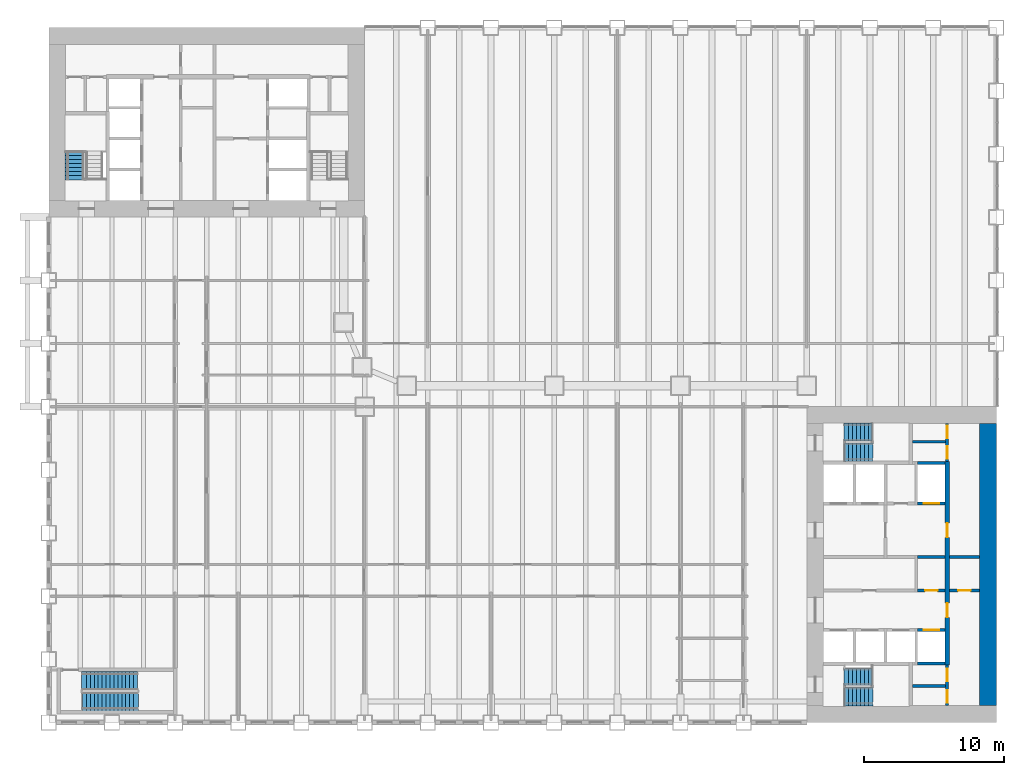
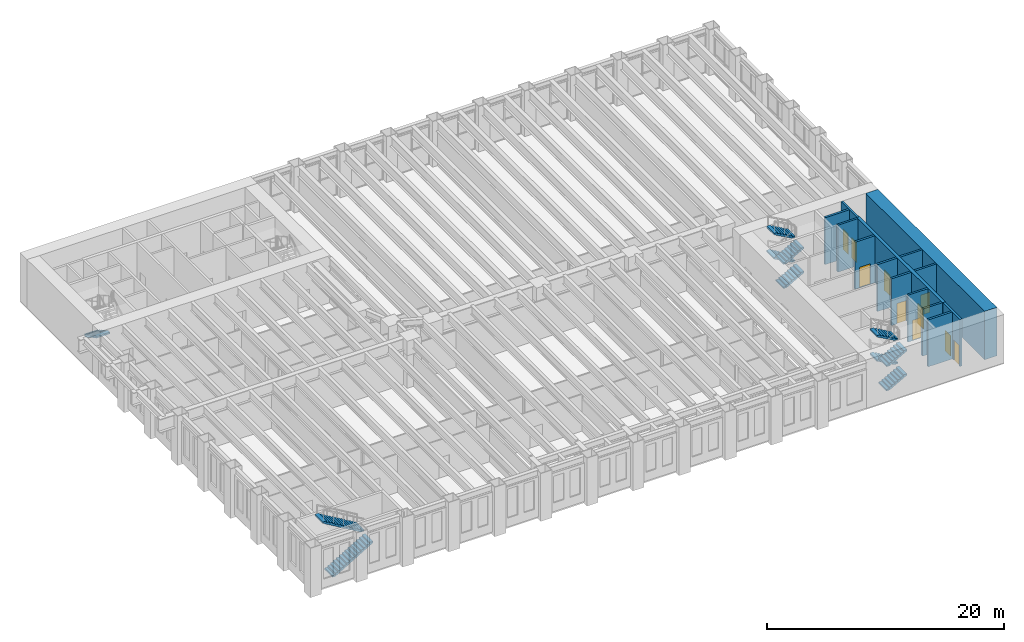
# One storey, part 17 of 21: 14 walls, 11 stair flights, 10 doors, 10 openings, 4 elements without a shape of their own.
"""IFC4 building model written with IfcOpenShell, lengths in metres."""

from ifc_helpers import new_model, si_unit, direction, frame, frame_2d, origin, place, context, subcontext, project, spatial, polyline, rectangle, outline, extrude, material, layer, layer_set, type_object, element, fill, aggregate, save


model = new_model("IFC4")

# Units and contexts
model_context = context("Model", 3, precision=1e-05, world=origin(), true_north=direction((0.0, 1.0)))
body_context = subcontext(model_context, "Body", "Model", "MODEL_VIEW")
ifc_project = project(units=[si_unit("LENGTHUNIT", "METRE"), si_unit("AREAUNIT", "SQUARE_METRE"), si_unit("VOLUMEUNIT", "CUBIC_METRE"), si_unit("PLANEANGLEUNIT", "RADIAN"), si_unit("MASSUNIT", "GRAM", prefix="KILO")], contexts=[model_context])

# Site, building, storey
site_placement = place(None, origin())
site = spatial("IfcSite", under=ifc_project, at=site_placement, CompositionType="ELEMENT")
building_placement = place(site_placement, origin())
building = spatial("IfcBuilding", under=site, at=building_placement, Name="Sennacour Bend Tower", CompositionType="ELEMENT")
storey_placement = place(building_placement, frame((0.0, 0.0, 24.0)))
storey = spatial("IfcBuildingStorey", under=building, at=storey_placement, Name="L04", CompositionType="ELEMENT", Elevation=24.0)

# Wall
ifc_material_1 = material(Name="Concrete C80/95", Category="concrete")
ifc_layer_1 = layer(ifc_material_1, 1.199951171875, Name="Concrete C80/95", Category="concrete")
ifc_layer_set_1 = layer_set([ifc_layer_1], Name="Concrete C80/95")
wall_type_1 = type_object("IfcWallType", Name="Core wall 1200 C80/95", PredefinedType="SHEAR", material=ifc_layer_set_1)
wall_1_placement = place(storey_placement, frame((66.89990234375, 1.199951171875, -0.14990234375), z_axis=(0.0, 0.0, 1.0), x_axis=(0.0, 1.0, 0.0)))
element("IfcWall", 1, at=wall_1_placement, inside=storey, type_object=wall_type_1, Name="Core A wall L04 E", PredefinedType="SHEAR", context=body_context, shape_type="SweptSolid", body=[
    extrude(rectangle(XDim=20.10009765625, YDim=1.199951171875, at=frame_2d((10.050048828125, 0.0))), origin(), (0.0, 0.0, 1.0), 5.0),
])

# Wall, openings, doors
ifc_material_2 = material(Name="Fire-rated plasterboard partition on steel studs", Category="steel")
ifc_layer_2 = layer(ifc_material_2, 0.199951171875, Name="Fire-rated plasterboard partition on steel studs", Category="steel")
ifc_layer_set_2 = layer_set([ifc_layer_2], Name="Fire-rated plasterboard partition on steel studs")
wall_type_2 = type_object("IfcWallType", Name="Rated partition 200", PredefinedType="PARTITIONING", material=ifc_layer_set_2)
wall_2_placement = place(storey_placement, frame((64.0, 1.199951171875, 0.0), z_axis=(0.0, 0.0, 1.0), x_axis=(0.0, 1.0, 0.0)))
wall_2 = element("IfcWall", 2, at=wall_2_placement, inside=storey, type_object=wall_type_2, Name="P-L04-W041", PredefinedType="PARTITIONING", context=body_context, shape_type="SweptSolid", body=[
    extrude(rectangle(XDim=2.900146484375, YDim=0.199951171875, at=frame_2d((1.4501953125, 0.0))), origin(), (0.0, 0.0, 1.0), 4.85009765625),
])
opening_1_placement = place(wall_2_placement, frame((0.199951171875, 0.0, 0.0)))
opening_1 = element("IfcOpeningElement", 3, at=opening_1_placement, cuts=wall_2, Name="Opening SV", PredefinedType="OPENING", context=body_context, shape_type="SweptSolid", body=[
    extrude(rectangle(XDim=0.89990234375, YDim=2.10009765625, at=frame_2d((0.449951171875, 1.050048828125))), frame((0.0, 0.10986328125, 0.0), z_axis=(0.0, -1.0, 0.0), x_axis=(1.0, 0.0, 0.0)), (0.0, 0.0, 1.0), 0.219970703125),
])
opening_2_placement = place(wall_2_placement, frame((1.75, 0.0, 0.0)))
opening_2 = element("IfcOpeningElement", 4, at=opening_2_placement, cuts=wall_2, Name="Opening WD", PredefinedType="OPENING", context=body_context, shape_type="SweptSolid", body=[
    extrude(rectangle(XDim=0.89990234375, YDim=2.10009765625, at=frame_2d((0.449951171875, 1.050048828125))), frame((0.0, 0.10986328125, 0.0), z_axis=(0.0, -1.0, 0.0), x_axis=(1.0, 0.0, 0.0)), (0.0, 0.0, 1.0), 0.219970703125),
])
ifc_material_3 = material(Name="Painted steel", Category="steel")
door_type_1 = type_object("IfcDoorType", Name="DR-SERVICE-900", OperationType="NOTDEFINED", PredefinedType="DOOR", material=ifc_material_3)
door_1_placement = place(opening_1_placement, origin())
door_1 = element("IfcDoor", 5, at=door_1_placement, inside=storey, type_object=door_type_1, Name="Door", OperationType="SINGLE_SWING_LEFT", OverallHeight=2.10009765625, OverallWidth=0.89990234375, PredefinedType="DOOR", context=body_context, shape_type="SweptSolid", body=[
    extrude(rectangle(XDim=0.89990234375, YDim=2.10009765625, at=frame_2d((0.449951171875, 1.050048828125))), frame((0.0, 0.02490234375, 0.0), z_axis=(0.0, -1.0, 0.0), x_axis=(1.0, 0.0, 0.0)), (0.0, 0.0, 1.0), 0.050048828125),
])
fill(opening_1, door_1)
ifc_material_4 = material(Name="Timber", Category="wood")
door_type_2 = type_object("IfcDoorType", Name="DR-WC-900", OperationType="NOTDEFINED", PredefinedType="DOOR", material=ifc_material_4)
door_2_placement = place(opening_2_placement, origin())
door_2 = element("IfcDoor", 6, at=door_2_placement, inside=storey, type_object=door_type_2, Name="Door", OperationType="SINGLE_SWING_RIGHT", OverallHeight=2.10009765625, OverallWidth=0.89990234375, PredefinedType="DOOR", context=body_context, shape_type="SweptSolid", body=[
    extrude(rectangle(XDim=0.89990234375, YDim=2.10009765625, at=frame_2d((0.449951171875, 1.050048828125))), frame((0.0, 0.02490234375, 0.0), z_axis=(0.0, -1.0, 0.0), x_axis=(1.0, 0.0, 0.0)), (0.0, 0.0, 1.0), 0.050048828125),
])
fill(opening_2, door_2)

wall_3_placement = place(storey_placement, frame((64.0, 18.60009765625, 0.0), z_axis=(0.0, 0.0, 1.0), x_axis=(0.0, 1.0, 0.0)))
wall_3 = element("IfcWall", 7, at=wall_3_placement, inside=storey, type_object=wall_type_2, Name="P-L04-W043", PredefinedType="PARTITIONING", context=body_context, shape_type="SweptSolid", body=[
    extrude(rectangle(XDim=2.699951171875, YDim=0.199951171875, at=frame_2d((1.35009765625, 0.0))), origin(), (0.0, 0.0, 1.0), 4.85009765625),
])
opening_3_placement = place(wall_3_placement, frame((0.199951171875, 0.0, 0.0)))
opening_3 = element("IfcOpeningElement", 8, at=opening_3_placement, cuts=wall_3, Name="Opening SV", PredefinedType="OPENING", context=body_context, shape_type="SweptSolid", body=[
    extrude(rectangle(XDim=0.89990234375, YDim=2.10009765625, at=frame_2d((0.449951171875, 1.050048828125))), frame((0.0, 0.10986328125, 0.0), z_axis=(0.0, -1.0, 0.0), x_axis=(1.0, 0.0, 0.0)), (0.0, 0.0, 1.0), 0.219970703125),
])
opening_4_placement = place(wall_3_placement, frame((1.64990234375, 0.0, 0.0)))
opening_4 = element("IfcOpeningElement", 9, at=opening_4_placement, cuts=wall_3, Name="Opening SV", PredefinedType="OPENING", context=body_context, shape_type="SweptSolid", body=[
    extrude(rectangle(XDim=0.89990234375, YDim=2.10009765625, at=frame_2d((0.449951171875, 1.050048828125))), frame((0.0, 0.10986328125, 0.0), z_axis=(0.0, -1.0, 0.0), x_axis=(1.0, 0.0, 0.0)), (0.0, 0.0, 1.0), 0.219970703125),
])
door_3_placement = place(opening_3_placement, origin())
door_3 = element("IfcDoor", 10, at=door_3_placement, inside=storey, type_object=door_type_1, Name="Door", OperationType="SINGLE_SWING_LEFT", OverallHeight=2.10009765625, OverallWidth=0.89990234375, PredefinedType="DOOR", context=body_context, shape_type="SweptSolid", body=[
    extrude(rectangle(XDim=0.89990234375, YDim=2.10009765625, at=frame_2d((0.449951171875, 1.050048828125))), frame((0.0, 0.02490234375, 0.0), z_axis=(0.0, -1.0, 0.0), x_axis=(1.0, 0.0, 0.0)), (0.0, 0.0, 1.0), 0.050048828125),
])
fill(opening_3, door_3)
door_4_placement = place(opening_4_placement, origin())
door_4 = element("IfcDoor", 11, at=door_4_placement, inside=storey, type_object=door_type_1, Name="Door", OperationType="SINGLE_SWING_RIGHT", OverallHeight=2.10009765625, OverallWidth=0.89990234375, PredefinedType="DOOR", context=body_context, shape_type="SweptSolid", body=[
    extrude(rectangle(XDim=0.89990234375, YDim=2.10009765625, at=frame_2d((0.449951171875, 1.050048828125))), frame((0.0, 0.02490234375, 0.0), z_axis=(0.0, -1.0, 0.0), x_axis=(1.0, 0.0, 0.0)), (0.0, 0.0, 1.0), 0.050048828125),
])
fill(opening_4, door_4)

# Wall
wall_4_placement = place(storey_placement, frame((61.52490234375, 2.60009765625, 0.0), z_axis=(0.0, 0.0, 1.0), x_axis=(1.0, 0.0, 0.0)))
element("IfcWall", 12, at=wall_4_placement, inside=storey, type_object=wall_type_2, Name="P-L04-W047", PredefinedType="PARTITIONING", context=body_context, shape_type="SweptSolid", body=[
    extrude(rectangle(XDim=2.375, YDim=0.199951171875, at=frame_2d((1.1875, 0.0))), origin(), (0.0, 0.0, 1.0), 4.85009765625),
])

# Wall, opening, door
wall_5_placement = place(storey_placement, frame((61.89990234375, 9.39990234375, 0.0), z_axis=(0.0, 0.0, 1.0), x_axis=(1.0, 0.0, 0.0)))
wall_5 = element("IfcWall", 13, at=wall_5_placement, inside=storey, type_object=wall_type_2, Name="P-L04-W056b", PredefinedType="PARTITIONING", context=body_context, shape_type="SweptSolid", body=[
    extrude(rectangle(XDim=1.9501953125, YDim=0.199951171875, at=frame_2d((0.97509765625, 0.0))), origin(), (0.0, 0.0, 1.0), 4.85009765625),
])
opening_5_placement = place(wall_5_placement, frame((0.525146484375, 0.0, 0.0)))
opening_5 = element("IfcOpeningElement", 14, at=opening_5_placement, cuts=wall_5, Name="Opening SV", PredefinedType="OPENING", context=body_context, shape_type="SweptSolid", body=[
    extrude(rectangle(XDim=0.89990234375, YDim=2.10009765625, at=frame_2d((0.449951171875, 1.050048828125))), frame((0.0, 0.10986328125, 0.0), z_axis=(0.0, -1.0, 0.0), x_axis=(1.0, 0.0, 0.0)), (0.0, 0.0, 1.0), 0.219970703125),
])
door_5_placement = place(opening_5_placement, origin())
door_5 = element("IfcDoor", 15, at=door_5_placement, inside=storey, type_object=door_type_1, Name="Door", OperationType="SINGLE_SWING_LEFT", OverallHeight=2.10009765625, OverallWidth=0.89990234375, PredefinedType="DOOR", context=body_context, shape_type="SweptSolid", body=[
    extrude(rectangle(XDim=0.89990234375, YDim=2.10009765625, at=frame_2d((0.449951171875, 1.050048828125))), frame((0.0, 0.02490234375, 0.0), z_axis=(0.0, -1.0, 0.0), x_axis=(1.0, 0.0, 0.0)), (0.0, 0.0, 1.0), 0.050048828125),
])
fill(opening_5, door_5)

wall_6_placement = place(storey_placement, frame((64.14990234375, 9.39990234375, 0.0), z_axis=(0.0, 0.0, 1.0), x_axis=(1.0, 0.0, 0.0)))
wall_6 = element("IfcWall", 16, at=wall_6_placement, inside=storey, type_object=wall_type_2, Name="P-L04-W056c", PredefinedType="PARTITIONING", context=body_context, shape_type="SweptSolid", body=[
    extrude(rectangle(XDim=2.150146484375, YDim=0.199951171875, at=frame_2d((1.0751953125, 0.0))), origin(), (0.0, 0.0, 1.0), 4.85009765625),
])
opening_6_placement = place(wall_6_placement, frame((0.625, 0.0, 0.0)))
opening_6 = element("IfcOpeningElement", 17, at=opening_6_placement, cuts=wall_6, Name="Opening SV", PredefinedType="OPENING", context=body_context, shape_type="SweptSolid", body=[
    extrude(rectangle(XDim=0.89990234375, YDim=2.10009765625, at=frame_2d((0.449951171875, 1.050048828125))), frame((0.0, 0.10986328125, 0.0), z_axis=(0.0, -1.0, 0.0), x_axis=(1.0, 0.0, 0.0)), (0.0, 0.0, 1.0), 0.219970703125),
])
door_6_placement = place(opening_6_placement, origin())
door_6 = element("IfcDoor", 18, at=door_6_placement, inside=storey, type_object=door_type_1, Name="Door", OperationType="SINGLE_SWING_LEFT", OverallHeight=2.10009765625, OverallWidth=0.89990234375, PredefinedType="DOOR", context=body_context, shape_type="SweptSolid", body=[
    extrude(rectangle(XDim=0.89990234375, YDim=2.10009765625, at=frame_2d((0.449951171875, 1.050048828125))), frame((0.0, 0.02490234375, 0.0), z_axis=(0.0, -1.0, 0.0), x_axis=(1.0, 0.0, 0.0)), (0.0, 0.0, 1.0), 0.050048828125),
])
fill(opening_6, door_6)

# Walls
wall_7_placement = place(storey_placement, frame((61.89990234375, 11.800048828125, 0.0), z_axis=(0.0, 0.0, 1.0), x_axis=(1.0, 0.0, 0.0)))
element("IfcWall", 19, at=wall_7_placement, inside=storey, type_object=wall_type_2, Name="P-L04-W058c", PredefinedType="PARTITIONING", context=body_context, shape_type="SweptSolid", body=[
    extrude(rectangle(XDim=1.9501953125, YDim=0.199951171875, at=frame_2d((0.97509765625, 0.0))), origin(), (0.0, 0.0, 1.0), 4.85009765625),
])
wall_8_placement = place(storey_placement, frame((64.14990234375, 11.800048828125, 0.0), z_axis=(0.0, 0.0, 1.0), x_axis=(1.0, 0.0, 0.0)))
element("IfcWall", 20, at=wall_8_placement, inside=storey, type_object=wall_type_2, Name="P-L04-W058d", PredefinedType="PARTITIONING", context=body_context, shape_type="SweptSolid", body=[
    extrude(rectangle(XDim=2.150146484375, YDim=0.199951171875, at=frame_2d((1.0751953125, 0.0))), origin(), (0.0, 0.0, 1.0), 4.85009765625),
])
wall_9_placement = place(storey_placement, frame((61.52490234375, 20.0, 0.0), z_axis=(0.0, 0.0, 1.0), x_axis=(1.0, 0.0, 0.0)))
element("IfcWall", 21, at=wall_9_placement, inside=storey, type_object=wall_type_2, Name="P-L04-W065", PredefinedType="PARTITIONING", context=body_context, shape_type="SweptSolid", body=[
    extrude(rectangle(XDim=2.375, YDim=0.199951171875, at=frame_2d((1.1875, 0.0))), origin(), (0.0, 0.0, 1.0), 4.85009765625),
])
ifc_material_5 = material(Name="Concrete C50/60", Category="concrete")
ifc_layer_3 = layer(ifc_material_5, 0.199951171875, Name="Concrete C50/60", Category="concrete")
ifc_layer_set_3 = layer_set([ifc_layer_3], Name="Concrete C50/60")
wall_type_3 = type_object("IfcWallType", Name="Shaft wall 200", PredefinedType="SOLIDWALL", material=ifc_layer_set_3)
wall_10_placement = place(storey_placement, frame((61.89990234375, 4.199951171875, 0.0), z_axis=(0.0, 0.0, 1.0), x_axis=(1.0, 0.0, 0.0)))
element("IfcWall", 22, at=wall_10_placement, inside=storey, type_object=wall_type_3, Name="P-L04-W052b", PredefinedType="SOLIDWALL", context=body_context, shape_type="SweptSolid", body=[
    extrude(rectangle(XDim=1.9501953125, YDim=0.199951171875, at=frame_2d((0.97509765625, 0.0))), origin(), (0.0, 0.0, 1.0), 4.85009765625),
])

# Wall, opening, door
wall_11_placement = place(storey_placement, frame((61.89990234375, 6.60009765625, 0.0), z_axis=(0.0, 0.0, 1.0), x_axis=(1.0, 0.0, 0.0)))
wall_11 = element("IfcWall", 23, at=wall_11_placement, inside=storey, type_object=wall_type_3, Name="P-L04-W054d", PredefinedType="SOLIDWALL", context=body_context, shape_type="SweptSolid", body=[
    extrude(rectangle(XDim=1.9501953125, YDim=0.199951171875, at=frame_2d((0.97509765625, 0.0))), origin(), (0.0, 0.0, 1.0), 4.85009765625),
])
opening_7_placement = place(wall_11_placement, frame((0.425048828125, 0.0, 0.011962890625)))
opening_7 = element("IfcOpeningElement", 24, at=opening_7_placement, cuts=wall_11, Name="Opening LD", PredefinedType="OPENING", context=body_context, shape_type="SweptSolid", body=[
    extrude(rectangle(XDim=1.10009765625, YDim=2.10009765625, at=frame_2d((0.550048828125, 1.050048828125))), frame((0.0, 0.10986328125, 0.0), z_axis=(0.0, -1.0, 0.0), x_axis=(1.0, 0.0, 0.0)), (0.0, 0.0, 1.0), 0.219970703125),
])
ifc_material_6 = material(Name="Stainless steel", Category="steel")
door_type_3 = type_object("IfcDoorType", Name="DR-LANDING-1100", OperationType="NOTDEFINED", PredefinedType="DOOR", material=ifc_material_6)
door_7_placement = place(opening_7_placement, origin())
door_7 = element("IfcDoor", 25, at=door_7_placement, inside=storey, type_object=door_type_3, Name="Lift landing door LA4", OperationType="SLIDING_TO_RIGHT", OverallHeight=2.10009765625, OverallWidth=1.10009765625, PredefinedType="DOOR", context=body_context, shape_type="SweptSolid", body=[
    extrude(rectangle(XDim=1.10009765625, YDim=2.10009765625, at=frame_2d((0.550048828125, 1.050048828125))), frame((0.0, 0.02490234375, 0.0), z_axis=(0.0, -1.0, 0.0), x_axis=(1.0, 0.0, 0.0)), (0.0, 0.0, 1.0), 0.050048828125),
])
fill(opening_7, door_7)

wall_12_placement = place(storey_placement, frame((61.89990234375, 15.60009765625, 0.0), z_axis=(0.0, 0.0, 1.0), x_axis=(1.0, 0.0, 0.0)))
wall_12 = element("IfcWall", 26, at=wall_12_placement, inside=storey, type_object=wall_type_3, Name="P-L04-W061", PredefinedType="SOLIDWALL", context=body_context, shape_type="SweptSolid", body=[
    extrude(rectangle(XDim=1.9501953125, YDim=0.199951171875, at=frame_2d((0.97509765625, 0.0))), origin(), (0.0, 0.0, 1.0), 4.85009765625),
])
opening_8_placement = place(wall_12_placement, frame((0.425048828125, 0.0, 0.011962890625)))
opening_8 = element("IfcOpeningElement", 27, at=opening_8_placement, cuts=wall_12, Name="Opening LD", PredefinedType="OPENING", context=body_context, shape_type="SweptSolid", body=[
    extrude(rectangle(XDim=1.10009765625, YDim=2.10009765625, at=frame_2d((0.550048828125, 1.050048828125))), frame((0.0, 0.10986328125, 0.0), z_axis=(0.0, -1.0, 0.0), x_axis=(1.0, 0.0, 0.0)), (0.0, 0.0, 1.0), 0.219970703125),
])
door_8_placement = place(opening_8_placement, origin())
door_8 = element("IfcDoor", 28, at=door_8_placement, inside=storey, type_object=door_type_3, Name="Lift landing door LA5", OperationType="SLIDING_TO_LEFT", OverallHeight=2.10009765625, OverallWidth=1.10009765625, PredefinedType="DOOR", context=body_context, shape_type="SweptSolid", body=[
    extrude(rectangle(XDim=1.10009765625, YDim=2.10009765625, at=frame_2d((0.550048828125, 1.050048828125))), frame((0.0, 0.02490234375, 0.0), z_axis=(0.0, -1.0, 0.0), x_axis=(1.0, 0.0, 0.0)), (0.0, 0.0, 1.0), 0.050048828125),
])
fill(opening_8, door_8)

# Wall
wall_13_placement = place(storey_placement, frame((61.89990234375, 18.5, 0.0), z_axis=(0.0, 0.0, 1.0), x_axis=(1.0, 0.0, 0.0)))
element("IfcWall", 29, at=wall_13_placement, inside=storey, type_object=wall_type_3, Name="P-L04-W064", PredefinedType="SOLIDWALL", context=body_context, shape_type="SweptSolid", body=[
    extrude(rectangle(XDim=1.9501953125, YDim=0.199951171875, at=frame_2d((0.97509765625, 0.0))), origin(), (0.0, 0.0, 1.0), 4.85009765625),
])

# Wall, openings, doors
ifc_material_7 = material(Name="Concrete C60/75", Category="concrete")
ifc_layer_4 = layer(ifc_material_7, 0.300048828125, Name="Concrete C60/75", Category="concrete")
ifc_layer_set_4 = layer_set([ifc_layer_4], Name="Concrete C60/75")
wall_type_4 = type_object("IfcWallType", Name="Spine wall 300", PredefinedType="SHEAR", material=ifc_layer_set_4)
wall_14_placement = place(storey_placement, frame((64.0, 4.10009765625, 0.0), z_axis=(0.0, 0.0, 1.0), x_axis=(0.0, 1.0, 0.0)))
wall_14 = element("IfcWall", 30, at=wall_14_placement, inside=storey, type_object=wall_type_4, Name="P-L04-W042", PredefinedType="SHEAR", context=body_context, shape_type="SweptSolid", body=[
    extrude(rectangle(XDim=14.5, YDim=0.300048828125, at=frame_2d((7.25, 0.0))), origin(), (0.0, 0.0, 1.0), 4.85009765625),
])
opening_9_placement = place(wall_14_placement, frame((3.39990234375, 0.0, 0.0)))
opening_9 = element("IfcOpeningElement", 31, at=opening_9_placement, cuts=wall_14, Name="Opening CD2", PredefinedType="OPENING", context=body_context, shape_type="SweptSolid", body=[
    extrude(rectangle(XDim=1.0, YDim=2.10009765625, at=frame_2d((0.5, 1.050048828125))), frame((0.0, 0.16015625, 0.0), z_axis=(0.0, -1.0, 0.0), x_axis=(1.0, 0.0, 0.0)), (0.0, 0.0, 1.0), 0.320068359375),
])
opening_10_placement = place(wall_14_placement, frame((9.099853515625, 0.0, 0.0)))
opening_10 = element("IfcOpeningElement", 32, at=opening_10_placement, cuts=wall_14, Name="Opening CD2", PredefinedType="OPENING", context=body_context, shape_type="SweptSolid", body=[
    extrude(rectangle(XDim=1.0, YDim=2.10009765625, at=frame_2d((0.5, 1.050048828125))), frame((0.0, 0.16015625, 0.0), z_axis=(0.0, -1.0, 0.0), x_axis=(1.0, 0.0, 0.0)), (0.0, 0.0, 1.0), 0.320068359375),
])
door_type_4 = type_object("IfcDoorType", Name="DR-LOBBY-1000", OperationType="NOTDEFINED", PredefinedType="DOOR", material=ifc_material_3)
door_9_placement = place(opening_9_placement, origin())
door_9 = element("IfcDoor", 33, at=door_9_placement, inside=storey, type_object=door_type_4, Name="Door", OperationType="SINGLE_SWING_LEFT", OverallHeight=2.10009765625, OverallWidth=1.0, PredefinedType="DOOR", context=body_context, shape_type="SweptSolid", body=[
    extrude(rectangle(XDim=1.0, YDim=2.10009765625, at=frame_2d((0.5, 1.050048828125))), frame((0.0, 0.02490234375, 0.0), z_axis=(0.0, -1.0, 0.0), x_axis=(1.0, 0.0, 0.0)), (0.0, 0.0, 1.0), 0.050048828125),
])
fill(opening_9, door_9)
door_10_placement = place(opening_10_placement, origin())
door_10 = element("IfcDoor", 34, at=door_10_placement, inside=storey, type_object=door_type_4, Name="Door", OperationType="SINGLE_SWING_RIGHT", OverallHeight=2.10009765625, OverallWidth=1.0, PredefinedType="DOOR", context=body_context, shape_type="SweptSolid", body=[
    extrude(rectangle(XDim=1.0, YDim=2.10009765625, at=frame_2d((0.5, 1.050048828125))), frame((0.0, 0.02490234375, 0.0), z_axis=(0.0, -1.0, 0.0), x_axis=(1.0, 0.0, 0.0)), (0.0, 0.0, 1.0), 0.050048828125),
])
fill(opening_10, door_10)

# Stair, stair flights
ifc_material_8 = material(Name="Concrete C40/50", Category="concrete")
stair_type = type_object("IfcStairType", Name="ST-DOGLEG", PredefinedType="HALF_TURN_STAIR", material=ifc_material_8)
stair_1_placement = place(storey_placement, origin())
stair_1 = element("IfcStair", 35, at=stair_1_placement, inside=storey, type_object=stair_type, Name="L04 Exit stair A1", PredefinedType="HALF_TURN_STAIR")
stair_flight_type = type_object("IfcStairFlightType", Name="SFL-RC", PredefinedType="STRAIGHT", material=ifc_material_8)
stair_flight_1_placement = place(storey_placement, frame((56.699951171875, 1.8349609375, 0.0), z_axis=(0.0, 0.0, 1.0), x_axis=(1.0, 0.0, 0.0)))
stair_flight_1 = element("IfcStairFlight", 36, at=stair_flight_1_placement, type_object=stair_flight_type, Name="SA1 flight 1", NumberOfRisers=8, NumberOfTreads=7, PredefinedType="STRAIGHT", RiserHeight=0.15625, TreadLength=0.28, context=body_context, shape_type="SweptSolid", body=[
    extrude(outline(polyline([(0.0, 0.0), (0.0, 0.15625), (0.280029296875, 0.15625), (0.280029296875, 0.3125), (0.56005859375, 0.3125), (0.56005859375, 0.46875), (0.840087890625, 0.46875), (0.840087890625, 0.625), (1.1201171875, 0.625), (1.1201171875, 0.78125), (1.39990234375, 0.78125), (1.39990234375, 0.9375), (1.679931640625, 0.9375), (1.679931640625, 1.09375), (1.9599609375, 1.09375), (2.02001953125, 1.09375), (2.02001953125, 0.922119140625), (1.9599609375, 0.922119140625), (0.3076171875, 0.0), (0.0, 0.0)])), frame((0.0, 0.6650390625, 0.0), z_axis=(0.0, -1.0, 0.0), x_axis=(1.0, 0.0, 0.0)), (0.0, 0.0, 1.0), 1.330078125),
])
stair_flight_2_placement = place(storey_placement, frame((58.659912109375, 3.25, 1.25), z_axis=(0.0, 0.0, 1.0), x_axis=(-1.0, 0.0, 0.0)))
stair_flight_2 = element("IfcStairFlight", 37, at=stair_flight_2_placement, type_object=stair_flight_type, Name="SA1 flight 2", NumberOfRisers=8, NumberOfTreads=7, PredefinedType="STRAIGHT", RiserHeight=0.15625, TreadLength=0.28, context=body_context, shape_type="SweptSolid", body=[
    extrude(outline(polyline([(0.0, 0.0), (0.0, 0.15625), (0.280029296875, 0.15625), (0.280029296875, 0.3125), (0.56005859375, 0.3125), (0.56005859375, 0.46875), (0.840087890625, 0.46875), (0.840087890625, 0.625), (1.1201171875, 0.625), (1.1201171875, 0.78125), (1.39990234375, 0.78125), (1.39990234375, 0.9375), (1.679931640625, 0.9375), (1.679931640625, 1.09375), (1.9599609375, 1.09375), (2.02001953125, 1.09375), (2.02001953125, 0.922119140625), (1.9599609375, 0.922119140625), (0.3076171875, 0.0), (0.0, 0.0)])), frame((0.0, 0.60009765625, 0.0), z_axis=(0.0, -1.0, 0.0), x_axis=(1.0, 0.0, 0.0)), (0.0, 0.0, 1.0), 1.199951171875),
])
stair_flight_3_placement = place(storey_placement, frame((56.699951171875, 1.8349609375, 2.5), z_axis=(0.0, 0.0, 1.0), x_axis=(1.0, 0.0, 0.0)))
stair_flight_3 = element("IfcStairFlight", 38, at=stair_flight_3_placement, type_object=stair_flight_type, Name="SA1 flight 3", NumberOfRisers=8, NumberOfTreads=7, PredefinedType="STRAIGHT", RiserHeight=0.15625, TreadLength=0.28, context=body_context, shape_type="SweptSolid", body=[
    extrude(outline(polyline([(0.0, 0.0), (0.0, 0.15625), (0.280029296875, 0.15625), (0.280029296875, 0.3125), (0.56005859375, 0.3125), (0.56005859375, 0.46875), (0.840087890625, 0.46875), (0.840087890625, 0.625), (1.1201171875, 0.625), (1.1201171875, 0.78125), (1.39990234375, 0.78125), (1.39990234375, 0.9375), (1.679931640625, 0.9375), (1.679931640625, 1.09375), (1.9599609375, 1.09375), (2.02001953125, 1.09375), (2.02001953125, 0.922119140625), (1.9599609375, 0.922119140625), (0.3076171875, 0.0), (0.0, 0.0)])), frame((0.0, 0.6650390625, 0.0), z_axis=(0.0, -1.0, 0.0), x_axis=(1.0, 0.0, 0.0)), (0.0, 0.0, 1.0), 1.330078125),
])
stair_flight_4_placement = place(storey_placement, frame((58.659912109375, 3.25, 3.75), z_axis=(0.0, 0.0, 1.0), x_axis=(-1.0, 0.0, 0.0)))
stair_flight_4 = element("IfcStairFlight", 39, at=stair_flight_4_placement, type_object=stair_flight_type, Name="SA1 flight 4", NumberOfRisers=8, NumberOfTreads=7, PredefinedType="STRAIGHT", RiserHeight=0.15625, TreadLength=0.28, context=body_context, shape_type="SweptSolid", body=[
    extrude(outline(polyline([(0.0, 0.0), (0.0, 0.15625), (0.280029296875, 0.15625), (0.280029296875, 0.3125), (0.56005859375, 0.3125), (0.56005859375, 0.46875), (0.840087890625, 0.46875), (0.840087890625, 0.625), (1.1201171875, 0.625), (1.1201171875, 0.78125), (1.39990234375, 0.78125), (1.39990234375, 0.9375), (1.679931640625, 0.9375), (1.679931640625, 1.09375), (1.9599609375, 1.09375), (2.02001953125, 1.09375), (2.02001953125, 0.922119140625), (1.9599609375, 0.922119140625), (0.3076171875, 0.0), (0.0, 0.0)])), frame((0.0, 0.60009765625, 0.0), z_axis=(0.0, -1.0, 0.0), x_axis=(1.0, 0.0, 0.0)), (0.0, 0.0, 1.0), 1.199951171875),
])
aggregate(stair_1, [stair_flight_1, stair_flight_2, stair_flight_3, stair_flight_4])

stair_2_placement = place(storey_placement, origin())
stair_2 = element("IfcStair", 40, at=stair_2_placement, inside=storey, type_object=stair_type, Name="L04 Exit stair A2", PredefinedType="HALF_TURN_STAIR")
stair_flight_5_placement = place(storey_placement, frame((56.699951171875, 19.24755859375, 0.0), z_axis=(0.0, 0.0, 1.0), x_axis=(1.0, 0.0, 0.0)))
stair_flight_5 = element("IfcStairFlight", 41, at=stair_flight_5_placement, type_object=stair_flight_type, Name="SA2 flight 1", NumberOfRisers=8, NumberOfTreads=7, PredefinedType="STRAIGHT", RiserHeight=0.15625, TreadLength=0.28, context=body_context, shape_type="SweptSolid", body=[
    extrude(outline(polyline([(0.0, 0.0), (0.0, 0.15625), (0.280029296875, 0.15625), (0.280029296875, 0.3125), (0.56005859375, 0.3125), (0.56005859375, 0.46875), (0.840087890625, 0.46875), (0.840087890625, 0.625), (1.1201171875, 0.625), (1.1201171875, 0.78125), (1.39990234375, 0.78125), (1.39990234375, 0.9375), (1.679931640625, 0.9375), (1.679931640625, 1.09375), (1.9599609375, 1.09375), (2.02001953125, 1.09375), (2.02001953125, 0.922119140625), (1.9599609375, 0.922119140625), (0.3076171875, 0.0), (0.0, 0.0)])), frame((0.0, 0.65234375, 0.0), z_axis=(0.0, -1.0, 0.0), x_axis=(1.0, 0.0, 0.0)), (0.0, 0.0, 1.0), 1.304931640625),
])
stair_flight_6_placement = place(storey_placement, frame((58.659912109375, 20.68994140625, 1.25), z_axis=(0.0, 0.0, 1.0), x_axis=(-1.0, 0.0, 0.0)))
stair_flight_6 = element("IfcStairFlight", 42, at=stair_flight_6_placement, type_object=stair_flight_type, Name="SA2 flight 2", NumberOfRisers=8, NumberOfTreads=7, PredefinedType="STRAIGHT", RiserHeight=0.15625, TreadLength=0.28, context=body_context, shape_type="SweptSolid", body=[
    extrude(outline(polyline([(0.0, 0.0), (0.0, 0.15625), (0.280029296875, 0.15625), (0.280029296875, 0.3125), (0.56005859375, 0.3125), (0.56005859375, 0.46875), (0.840087890625, 0.46875), (0.840087890625, 0.625), (1.1201171875, 0.625), (1.1201171875, 0.78125), (1.39990234375, 0.78125), (1.39990234375, 0.9375), (1.679931640625, 0.9375), (1.679931640625, 1.09375), (1.9599609375, 1.09375), (2.02001953125, 1.09375), (2.02001953125, 0.922119140625), (1.9599609375, 0.922119140625), (0.3076171875, 0.0), (0.0, 0.0)])), frame((0.0, 0.64013671875, 0.0), z_axis=(0.0, -1.0, 0.0), x_axis=(1.0, 0.0, 0.0)), (0.0, 0.0, 1.0), 1.280029296875),
])
stair_flight_7_placement = place(storey_placement, frame((56.699951171875, 19.24755859375, 2.5), z_axis=(0.0, 0.0, 1.0), x_axis=(1.0, 0.0, 0.0)))
stair_flight_7 = element("IfcStairFlight", 43, at=stair_flight_7_placement, type_object=stair_flight_type, Name="SA2 flight 3", NumberOfRisers=8, NumberOfTreads=7, PredefinedType="STRAIGHT", RiserHeight=0.15625, TreadLength=0.28, context=body_context, shape_type="SweptSolid", body=[
    extrude(outline(polyline([(0.0, 0.0), (0.0, 0.15625), (0.280029296875, 0.15625), (0.280029296875, 0.3125), (0.56005859375, 0.3125), (0.56005859375, 0.46875), (0.840087890625, 0.46875), (0.840087890625, 0.625), (1.1201171875, 0.625), (1.1201171875, 0.78125), (1.39990234375, 0.78125), (1.39990234375, 0.9375), (1.679931640625, 0.9375), (1.679931640625, 1.09375), (1.9599609375, 1.09375), (2.02001953125, 1.09375), (2.02001953125, 0.922119140625), (1.9599609375, 0.922119140625), (0.3076171875, 0.0), (0.0, 0.0)])), frame((0.0, 0.65234375, 0.0), z_axis=(0.0, -1.0, 0.0), x_axis=(1.0, 0.0, 0.0)), (0.0, 0.0, 1.0), 1.304931640625),
])
stair_flight_8_placement = place(storey_placement, frame((58.659912109375, 20.68994140625, 3.75), z_axis=(0.0, 0.0, 1.0), x_axis=(-1.0, 0.0, 0.0)))
stair_flight_8 = element("IfcStairFlight", 44, at=stair_flight_8_placement, type_object=stair_flight_type, Name="SA2 flight 4", NumberOfRisers=8, NumberOfTreads=7, PredefinedType="STRAIGHT", RiserHeight=0.15625, TreadLength=0.28, context=body_context, shape_type="SweptSolid", body=[
    extrude(outline(polyline([(0.0, 0.0), (0.0, 0.15625), (0.280029296875, 0.15625), (0.280029296875, 0.3125), (0.56005859375, 0.3125), (0.56005859375, 0.46875), (0.840087890625, 0.46875), (0.840087890625, 0.625), (1.1201171875, 0.625), (1.1201171875, 0.78125), (1.39990234375, 0.78125), (1.39990234375, 0.9375), (1.679931640625, 0.9375), (1.679931640625, 1.09375), (1.9599609375, 1.09375), (2.02001953125, 1.09375), (2.02001953125, 0.922119140625), (1.9599609375, 0.922119140625), (0.3076171875, 0.0), (0.0, 0.0)])), frame((0.0, 0.64013671875, 0.0), z_axis=(0.0, -1.0, 0.0), x_axis=(1.0, 0.0, 0.0)), (0.0, 0.0, 1.0), 1.280029296875),
])
aggregate(stair_2, [stair_flight_5, stair_flight_6, stair_flight_7, stair_flight_8])

# Stair, stair flight
stair_3_placement = place(storey_placement, origin())
stair_3 = element("IfcStair", 45, at=stair_3_placement, inside=storey, type_object=stair_type, Name="L04 Exit stair B1", PredefinedType="HALF_TURN_STAIR")
stair_flight_9_placement = place(storey_placement, frame((1.8349609375, 40.659912109375, 1.25), z_axis=(0.0, 0.0, 1.0), x_axis=(0.0, -1.0, 0.0)))
stair_flight_9 = element("IfcStairFlight", 46, at=stair_flight_9_placement, type_object=stair_flight_type, Name="SB1 flight 2", NumberOfRisers=8, NumberOfTreads=7, PredefinedType="STRAIGHT", RiserHeight=0.15625, TreadLength=0.28, context=body_context, shape_type="SweptSolid", body=[
    extrude(outline(polyline([(0.0, 0.0), (0.0, 0.15625), (0.280029296875, 0.15625), (0.280029296875, 0.3125), (0.56005859375, 0.3125), (0.56005859375, 0.46875), (0.840087890625, 0.46875), (0.840087890625, 0.625), (1.1201171875, 0.625), (1.1201171875, 0.78125), (1.39990234375, 0.78125), (1.39990234375, 0.9375), (1.679931640625, 0.9375), (1.679931640625, 1.09375), (1.9599609375, 1.09375), (2.02001953125, 1.09375), (2.02001953125, 0.922119140625), (1.9599609375, 0.922119140625), (0.3076171875, 0.0), (0.0, 0.0)])), frame((0.0, 0.6650390625, 0.0), z_axis=(0.0, -1.0, 0.0), x_axis=(1.0, 0.0, 0.0)), (0.0, 0.0, 1.0), 1.330078125),
])
aggregate(stair_3, [stair_flight_9])

# Stair, stair flights
stair_4_placement = place(storey_placement, origin())
stair_4 = element("IfcStair", 47, at=stair_4_placement, inside=storey, type_object=stair_type, Name="L04 Exit stair K1", PredefinedType="HALF_TURN_STAIR")
stair_flight_10_placement = place(storey_placement, frame((2.39990234375, 1.485107421875, 0.0), z_axis=(0.0, 0.0, 1.0), x_axis=(1.0, 0.0, 0.0)))
stair_flight_10 = element("IfcStairFlight", 48, at=stair_flight_10_placement, type_object=stair_flight_type, Name="SK1 flight 1", NumberOfRisers=15, NumberOfTreads=14, PredefinedType="STRAIGHT", RiserHeight=0.166666667, TreadLength=0.28, context=body_context, shape_type="SweptSolid", body=[
    extrude(outline(polyline([(0.0, 0.0), (0.0, 0.166748046875), (0.280029296875, 0.166748046875), (0.280029296875, 0.333251953125), (0.56005859375, 0.333251953125), (0.56005859375, 0.5), (0.840087890625, 0.5), (0.840087890625, 0.666748046875), (1.1201171875, 0.666748046875), (1.1201171875, 0.833251953125), (1.39990234375, 0.833251953125), (1.39990234375, 1.0), (1.679931640625, 1.0), (1.679931640625, 1.166748046875), (1.9599609375, 1.166748046875), (1.9599609375, 1.333251953125), (2.239990234375, 1.333251953125), (2.239990234375, 1.5), (2.52001953125, 1.5), (2.52001953125, 1.666748046875), (2.800048828125, 1.666748046875), (2.800048828125, 1.833251953125), (3.080078125, 1.833251953125), (3.080078125, 2.0), (3.360107421875, 2.0), (3.360107421875, 2.166748046875), (3.639892578125, 2.166748046875), (3.639892578125, 2.333251953125), (3.919921875, 2.333251953125), (3.97998046875, 2.333251953125), (3.97998046875, 2.158935546875), (3.919921875, 2.158935546875), (0.29296875, 0.0), (0.0, 0.0)])), frame((0.0, 0.6650390625, 0.0), z_axis=(0.0, -1.0, 0.0), x_axis=(1.0, 0.0, 0.0)), (0.0, 0.0, 1.0), 1.330078125),
])
stair_flight_11_placement = place(storey_placement, frame((6.320068359375, 2.9775390625, 2.5), z_axis=(0.0, 0.0, 1.0), x_axis=(-1.0, 0.0, 0.0)))
stair_flight_11 = element("IfcStairFlight", 49, at=stair_flight_11_placement, type_object=stair_flight_type, Name="SK1 flight 2", NumberOfRisers=15, NumberOfTreads=14, PredefinedType="STRAIGHT", RiserHeight=0.166666667, TreadLength=0.28, context=body_context, shape_type="SweptSolid", body=[
    extrude(outline(polyline([(0.0, 0.0), (0.0, 0.166748046875), (0.280029296875, 0.166748046875), (0.280029296875, 0.333251953125), (0.56005859375, 0.333251953125), (0.56005859375, 0.5), (0.840087890625, 0.5), (0.840087890625, 0.666748046875), (1.1201171875, 0.666748046875), (1.1201171875, 0.833251953125), (1.39990234375, 0.833251953125), (1.39990234375, 1.0), (1.679931640625, 1.0), (1.679931640625, 1.166748046875), (1.9599609375, 1.166748046875), (1.9599609375, 1.333251953125), (2.239990234375, 1.333251953125), (2.239990234375, 1.5), (2.52001953125, 1.5), (2.52001953125, 1.666748046875), (2.800048828125, 1.666748046875), (2.800048828125, 1.833251953125), (3.080078125, 1.833251953125), (3.080078125, 2.0), (3.360107421875, 2.0), (3.360107421875, 2.166748046875), (3.639892578125, 2.166748046875), (3.639892578125, 2.333251953125), (3.919921875, 2.333251953125), (3.97998046875, 2.333251953125), (3.97998046875, 2.158935546875), (3.919921875, 2.158935546875), (0.29296875, 0.0), (0.0, 0.0)])), frame((0.0, 0.677490234375, 0.0), z_axis=(0.0, -1.0, 0.0), x_axis=(1.0, 0.0, 0.0)), (0.0, 0.0, 1.0), 1.35498046875),
])
aggregate(stair_4, [stair_flight_10, stair_flight_11])

save(model, "model.ifc")
